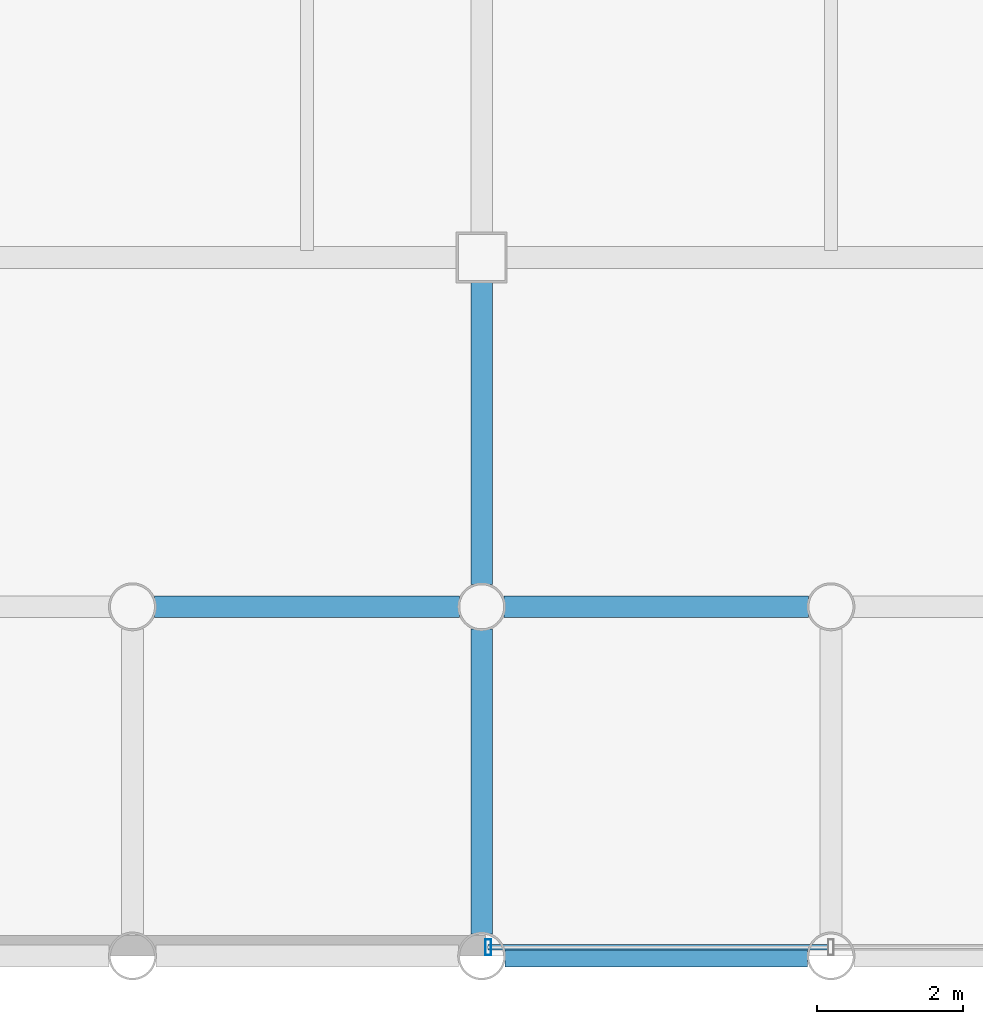
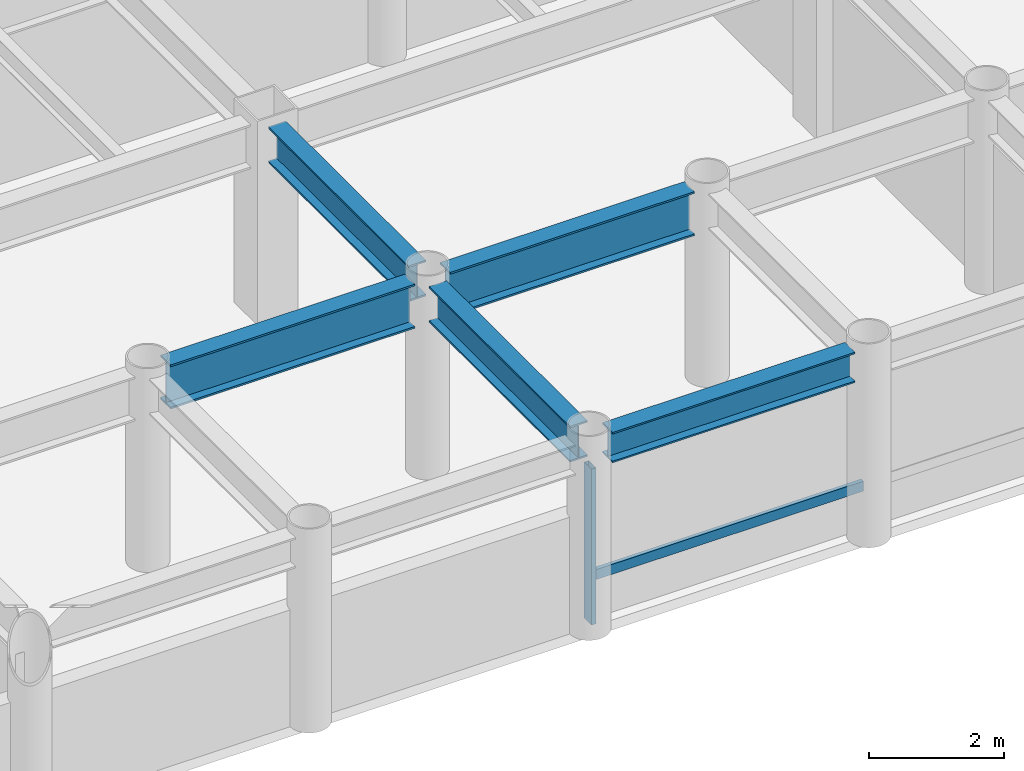
# One storey, part 2 of 19: 5 beams, 2 members, 1 element without a shape of its own.
"""IFC4 building model written with IfcOpenShell, lengths in metres."""

from ifc_helpers import new_model, si_unit, direction, frame, origin, origin_2d, place, context, subcontext, project, spatial, hollow_rectangle, i_section, extrude, material, layer, layer_set, material_profile, profile_set, type_object, element, aggregate, save


model = new_model("IFC4")

# Units and contexts
model_context = context("Model", 3, precision=1e-05, world=origin(), true_north=direction((0.0, 1.0)))
body_context = subcontext(model_context, "Body", "Model", "MODEL_VIEW")
ifc_project = project(units=[si_unit("LENGTHUNIT", "METRE"), si_unit("AREAUNIT", "SQUARE_METRE"), si_unit("VOLUMEUNIT", "CUBIC_METRE"), si_unit("PLANEANGLEUNIT", "RADIAN"), si_unit("MASSUNIT", "GRAM", prefix="KILO")], contexts=[model_context])

# Site, building, storey
site_placement = place(None, origin())
site = spatial("IfcSite", under=ifc_project, at=site_placement, CompositionType="ELEMENT")
building_placement = place(site_placement, origin())
building = spatial("IfcBuilding", under=site, at=building_placement, Name="Kallvorn Hotel Tower", CompositionType="ELEMENT")
storey_placement = place(building_placement, frame((0.0, 0.0, 169.199951171875)))
storey = spatial("IfcBuildingStorey", under=building, at=storey_placement, Name="L42", CompositionType="ELEMENT", Elevation=169.199951171875)

# Beams
ifc_material_1 = material(Name="Structural steel S355JR", Category="steel")
ifc_material_profile_1 = material_profile(ifc_material_1, i_section(OverallWidth=0.300048828125, OverallDepth=0.550048828125, WebThickness=0.014892578125, FlangeThickness=0.029052734375, at=origin_2d()), Name="HE 550 B")
ifc_profile_set_1 = profile_set([ifc_material_profile_1], Name="Structural steel S355JR")
beam_type_1 = type_object("IfcBeamType", Name="BM_HE550B", PredefinedType="SPANDREL", material=ifc_profile_set_1)
beam_1_placement = place(storey_placement, frame((-4.47998046875, -24.0, 3.2451171875), z_axis=(1.0, 0.0, 0.0), x_axis=(0.0, 1.0, 0.0)))
element("IfcBeam", 1, at=beam_1_placement, inside=storey, type_object=beam_type_1, Name="L43 Perimeter Spandrel 156", PredefinedType="SPANDREL", context=body_context, shape_type="SweptSolid", body=[
    extrude(i_section(OverallWidth=0.300048828125, OverallDepth=0.550048828125, WebThickness=0.014892578125, FlangeThickness=0.029052734375, at=origin_2d()), origin(), (0.0, 0.0, 1.0), 4.159912109375),
])
ifc_material_2 = material(Name="Structural steel S355JR", Category="steel")
ifc_material_profile_2 = material_profile(ifc_material_2, i_section(OverallWidth=0.300048828125, OverallDepth=0.64990234375, WebThickness=0.01611328125, FlangeThickness=0.031005859375, at=origin_2d()), Name="HE 650 B")
ifc_profile_set_2 = profile_set([ifc_material_profile_2], Name="Structural steel S355JR")
beam_type_2 = type_object("IfcBeamType", Name="BM_HE650B", PredefinedType="BEAM", material=ifc_profile_set_2)
beam_2_placement = place(storey_placement, frame((-4.800048828125, -23.695068359375, 3.195068359375), z_axis=(0.0, 1.0, 0.0), x_axis=(-1.0, 0.0, 0.0)))
element("IfcBeam", 2, at=beam_2_placement, inside=storey, type_object=beam_type_2, Name="L43 Primary Y-Girder 106", PredefinedType="BEAM", context=body_context, shape_type="SweptSolid", body=[
    extrude(i_section(OverallWidth=0.300048828125, OverallDepth=0.64990234375, WebThickness=0.01611328125, FlangeThickness=0.031005859375, at=origin_2d()), origin(), (0.0, 0.0, 1.0), 4.190185546875),
])
beam_3_placement = place(storey_placement, frame((-4.800048828125, -18.89501953125, 3.195068359375), z_axis=(0.0, 1.0, 0.0), x_axis=(-1.0, 0.0, 0.0)))
element("IfcBeam", 3, at=beam_3_placement, inside=storey, type_object=beam_type_2, Name="L43 Primary Y-Girder 107", PredefinedType="BEAM", context=body_context, shape_type="SweptSolid", body=[
    extrude(i_section(OverallWidth=0.300048828125, OverallDepth=0.64990234375, WebThickness=0.01611328125, FlangeThickness=0.031005859375, at=origin_2d()), origin(), (0.0, 0.0, 1.0), 4.169921875),
])
ifc_material_3 = material(Name="Structural steel S355JR", Category="steel")
ifc_material_profile_3 = material_profile(ifc_material_3, i_section(OverallWidth=0.300048828125, OverallDepth=0.800048828125, WebThickness=0.017578125, FlangeThickness=0.032958984375, at=origin_2d()), Name="HE 800 B")
ifc_profile_set_3 = profile_set([ifc_material_profile_3], Name="Structural steel S355JR")
beam_type_3 = type_object("IfcBeamType", Name="BM_HE800B", PredefinedType="BEAM", material=ifc_profile_set_3)
beam_4_placement = place(storey_placement, frame((-9.294921875, -19.199951171875, 3.1201171875), z_axis=(1.0, 0.0, 0.0), x_axis=(0.0, 1.0, 0.0)))
element("IfcBeam", 4, at=beam_4_placement, inside=storey, type_object=beam_type_3, Name="L43 Primary X-Girder 06", PredefinedType="BEAM", context=body_context, shape_type="SweptSolid", body=[
    extrude(i_section(OverallWidth=0.300048828125, OverallDepth=0.800048828125, WebThickness=0.017578125, FlangeThickness=0.032958984375, at=origin_2d()), origin(), (0.0, 0.0, 1.0), 4.18994140625),
])
beam_5_placement = place(storey_placement, frame((-4.4951171875, -19.199951171875, 3.1201171875), z_axis=(1.0, 0.0, 0.0), x_axis=(0.0, 1.0, 0.0)))
element("IfcBeam", 5, at=beam_5_placement, inside=storey, type_object=beam_type_3, Name="L43 Primary X-Girder 07", PredefinedType="BEAM", context=body_context, shape_type="SweptSolid", body=[
    extrude(i_section(OverallWidth=0.300048828125, OverallDepth=0.800048828125, WebThickness=0.017578125, FlangeThickness=0.032958984375, at=origin_2d()), origin(), (0.0, 0.0, 1.0), 4.190185546875),
])

# Curtain wall, members
ifc_material_4 = material(Name="Thermally broken black-anodised aluminium AA 6063-T6", Category="aluminium")
ifc_layer = layer(ifc_material_4, 0.2099609375)
ifc_layer_set = layer_set([ifc_layer], Name="CW_SYS_4_HOTEL_MID")
curtain_wall_type = type_object("IfcCurtainWallType", Name="CW_SYS_4_HOTEL_MID", PredefinedType="USERDEFINED", material=ifc_layer_set)
curtain_wall_placement = place(storey_placement, origin())
curtain_wall = element("IfcCurtainWall", 6, at=curtain_wall_placement, inside=storey, type_object=curtain_wall_type, Name="L42 Dark-Glass Curtain Wall CW-L42-SC", ObjectType="UNITISED CURTAIN WALL", PredefinedType="USERDEFINED")
ifc_material_5 = material(Name="Thermally broken black-anodised aluminium AA 6063-T6", Category="aluminium")
ifc_material_profile_4 = material_profile(ifc_material_5, hollow_rectangle(XDim=0.080078125, YDim=0.219970703125, WallThickness=0.0048828125, at=origin_2d()), Name="MUL 220x80")
ifc_profile_set_4 = profile_set([ifc_material_profile_4], Name="Thermally broken black-anodised aluminium AA 6063-T6")
member_type_1 = type_object("IfcMemberType", Name="CW_MULLION_220x80", PredefinedType="MULLION", material=ifc_profile_set_4)
member_1_placement = place(storey_placement, frame((-4.7099609375, -23.8798828125, 0.02001953125), z_axis=(0.0, 0.0, 1.0), x_axis=(1.0, 0.0, 0.0)))
member_1 = element("IfcMember", 7, at=member_1_placement, type_object=member_type_1, Name="CW-L42-SC Mullion 00", PredefinedType="MULLION", context=body_context, shape_type="SweptSolid", body=[
    extrude(hollow_rectangle(XDim=0.080078125, YDim=0.219970703125, WallThickness=0.0048828125, at=origin_2d()), origin(), (0.0, 0.0, 1.0), 2.830078125),
])
ifc_material_6 = material(Name="Thermally broken black-anodised aluminium AA 6063-T6", Category="aluminium")
ifc_material_profile_5 = material_profile(ifc_material_6, hollow_rectangle(XDim=0.070068359375, YDim=0.179931640625, WallThickness=0.00390625, at=origin_2d()), Name="TRN 180x70")
ifc_profile_set_5 = profile_set([ifc_material_profile_5], Name="Thermally broken black-anodised aluminium AA 6063-T6")
member_type_2 = type_object("IfcMemberType", Name="CW_TRANSOM_180x70", PredefinedType="USERDEFINED", material=ifc_profile_set_5)
member_2_placement = place(storey_placement, frame((-4.7099609375, -23.8798828125, 0.85009765625), z_axis=(1.0, 0.0, 0.0), x_axis=(0.0, 1.0, 0.0)))
member_2 = element("IfcMember", 8, at=member_2_placement, type_object=member_type_2, Name="CW-L42-SC Transom 00M", ObjectType="TRANSOM", PredefinedType="USERDEFINED", context=body_context, shape_type="SweptSolid", body=[
    extrude(hollow_rectangle(XDim=0.070068359375, YDim=0.179931640625, WallThickness=0.00390625, at=origin_2d()), origin(), (0.0, 0.0, 1.0), 4.669921875),
])
aggregate(curtain_wall, [member_1, member_2])

save(model, "model.ifc")
